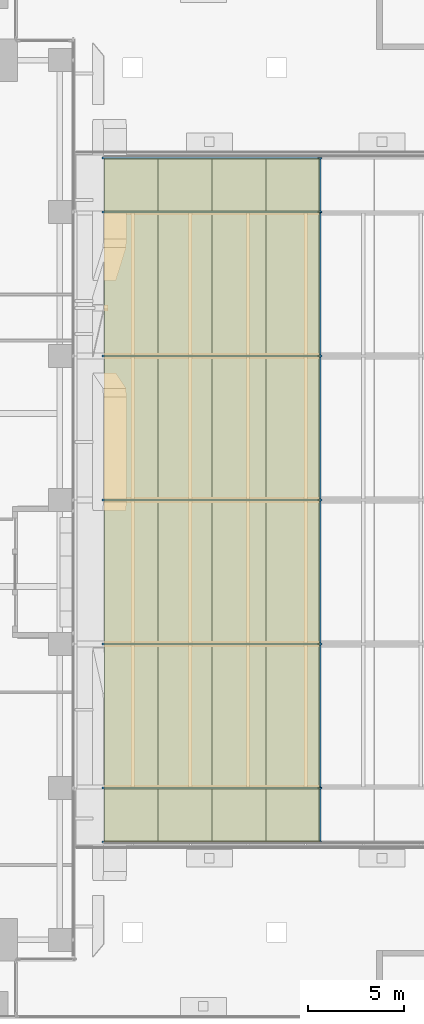
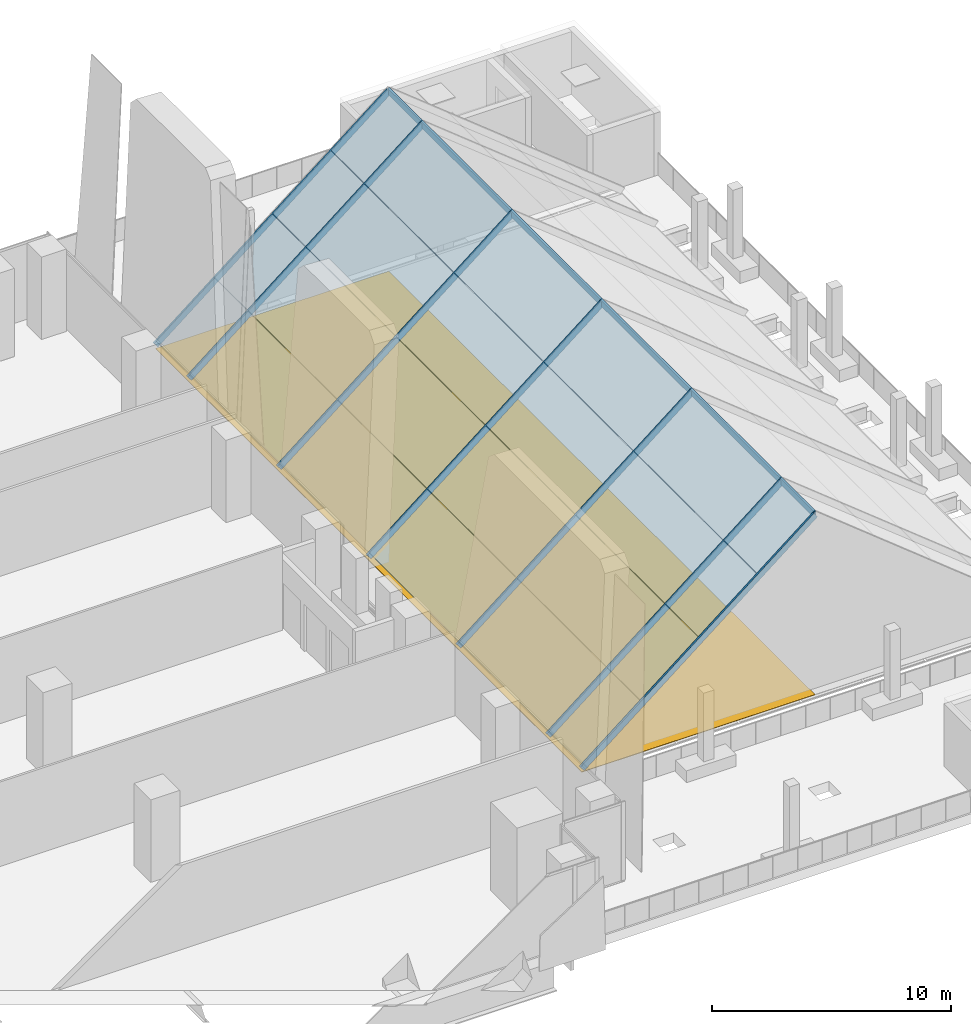
# One storey, part 40 of 46: 24 plates, 8 members, 1 curtain wall.
"""IFC4 building model written with IfcOpenShell, lengths in metres."""

from ifc_helpers import new_model, si_unit, direction, frame, origin, origin_2d, place, context, subcontext, project, spatial, polyline, hollow_rectangle, outline, extrude, source, transform, mapped, material, layer, layer_set, material_profile, profile_set, type_object, element, aggregate, save


model = new_model("IFC4")

# Units and contexts
model_context = context("Model", 3, precision=1e-05, world=origin(), true_north=direction((0.0, 1.0)))
body_context = subcontext(model_context, "Body", "Model", "MODEL_VIEW")
ifc_project = project(units=[si_unit("LENGTHUNIT", "METRE"), si_unit("AREAUNIT", "SQUARE_METRE"), si_unit("VOLUMEUNIT", "CUBIC_METRE"), si_unit("PLANEANGLEUNIT", "RADIAN"), si_unit("MASSUNIT", "GRAM", prefix="KILO")], contexts=[model_context])

# Member
ifc_material_1 = material(Name="Aluminium", Category="aluminium")
ifc_material_profile_1 = material_profile(ifc_material_1, hollow_rectangle(XDim=0.10009765625, YDim=0.300048828125, WallThickness=0.007080078125, at=origin_2d()), Name="Atrium lantern rafter RF-L")
ifc_profile_set_1 = profile_set([ifc_material_profile_1], Name="Aluminium")
member_type_1 = type_object("IfcMemberType", Name="Atrium lantern rafter RF-L", PredefinedType="MULLION", material=ifc_profile_set_1)
shared_shape_1 = source(origin(), body_context, "Body", "SweptSolid", [
    extrude(hollow_rectangle(XDim=0.10009765625, YDim=0.300048828125, WallThickness=0.007080078125, at=origin_2d()), origin(), (0.0, 0.0, 1.0), 14.406982421875),
])
site_placement = place(None, origin())
building_placement = place(site_placement, origin())
storey_placement = place(building_placement, frame((0.0, 0.0, 33.0)))
member_1_placement = place(storey_placement, frame((55.5, 9.199951171875, 1.4521484375), z_axis=(0.780868809443, 0.0, 0.624695047554), x_axis=(0.0, 1.0, 0.0)))
member_1 = element("IfcMember", 1, at=member_1_placement, type_object=member_type_1, Name="Atrium lantern rafter", PredefinedType="MULLION", context=body_context, shape_type="MappedRepresentation", body=[
    mapped(shared_shape_1, transform((0.0, 0.0, 0.0))),
])

member_2_placement = place(storey_placement, frame((55.5, 12.0, 1.4521484375), z_axis=(0.780868809443, 0.0, 0.624695047554), x_axis=(0.0, 1.0, 0.0)))
member_2 = element("IfcMember", 2, at=member_2_placement, type_object=member_type_1, Name="Atrium lantern rafter", PredefinedType="MULLION", context=body_context, shape_type="MappedRepresentation", body=[
    mapped(shared_shape_1, transform((0.0, 0.0, 0.0))),
])

member_3_placement = place(storey_placement, frame((55.5, 19.5, 1.4521484375), z_axis=(0.780868809443, 0.0, 0.624695047554), x_axis=(0.0, 1.0, 0.0)))
member_3 = element("IfcMember", 3, at=member_3_placement, type_object=member_type_1, Name="Atrium lantern rafter", PredefinedType="MULLION", context=body_context, shape_type="MappedRepresentation", body=[
    mapped(shared_shape_1, transform((0.0, 0.0, 0.0))),
])

member_4_placement = place(storey_placement, frame((55.5, 27.0, 1.4521484375), z_axis=(0.780868809443, 0.0, 0.624695047554), x_axis=(0.0, 1.0, 0.0)))
member_4 = element("IfcMember", 4, at=member_4_placement, type_object=member_type_1, Name="Atrium lantern rafter", PredefinedType="MULLION", context=body_context, shape_type="MappedRepresentation", body=[
    mapped(shared_shape_1, transform((0.0, 0.0, 0.0))),
])

member_5_placement = place(storey_placement, frame((55.5, 34.5, 1.4521484375), z_axis=(0.780868809443, 0.0, 0.624695047554), x_axis=(0.0, 1.0, 0.0)))
member_5 = element("IfcMember", 5, at=member_5_placement, type_object=member_type_1, Name="Atrium lantern rafter", PredefinedType="MULLION", context=body_context, shape_type="MappedRepresentation", body=[
    mapped(shared_shape_1, transform((0.0, 0.0, 0.0))),
])

member_6_placement = place(storey_placement, frame((55.5, 42.0, 1.4521484375), z_axis=(0.780868809443, 0.0, 0.624695047554), x_axis=(0.0, 1.0, 0.0)))
member_6 = element("IfcMember", 6, at=member_6_placement, type_object=member_type_1, Name="Atrium lantern rafter", PredefinedType="MULLION", context=body_context, shape_type="MappedRepresentation", body=[
    mapped(shared_shape_1, transform((0.0, 0.0, 0.0))),
])

member_7_placement = place(storey_placement, frame((55.5, 44.800048828125, 1.4521484375), z_axis=(0.780868809443, 0.0, 0.624695047554), x_axis=(0.0, 1.0, 0.0)))
member_7 = element("IfcMember", 7, at=member_7_placement, type_object=member_type_1, Name="Atrium lantern rafter", PredefinedType="MULLION", context=body_context, shape_type="MappedRepresentation", body=[
    mapped(shared_shape_1, transform((0.0, 0.0, 0.0))),
])

ifc_material_2 = material(Name="Aluminium", Category="aluminium")
ifc_material_profile_2 = material_profile(ifc_material_2, hollow_rectangle(XDim=0.10009765625, YDim=0.300048828125, WallThickness=0.007080078125, at=origin_2d()), Name="Atrium lantern ridge RF-LR")
ifc_profile_set_2 = profile_set([ifc_material_profile_2], Name="Aluminium")
member_type_2 = type_object("IfcMemberType", Name="Atrium lantern ridge RF-LR", PredefinedType="MULLION", material=ifc_profile_set_2)
shared_shape_2 = source(origin(), body_context, "Body", "SweptSolid", [
    extrude(hollow_rectangle(XDim=0.10009765625, YDim=0.300048828125, WallThickness=0.007080078125, at=origin_2d()), origin(), (0.0, 0.0, 1.0), 35.60009765625),
])
placement_1 = place(building_placement, frame((0.0, 0.0, 42.0)))
member_8_placement = place(placement_1, frame((66.75, 9.199951171875, 1.4521484375), z_axis=(0.0, 1.0, 0.0), x_axis=(-1.0, 0.0, 0.0)))
member_8 = element("IfcMember", 8, at=member_8_placement, type_object=member_type_2, Name="Atrium lantern ridge beam", PredefinedType="MULLION", context=body_context, shape_type="MappedRepresentation", body=[
    mapped(shared_shape_2, transform((0.0, 0.0, 0.0))),
])

# Plate
ifc_material_3 = material(Name="Laminated heat-strengthened glass", Category="glass")
ifc_layer = layer(ifc_material_3, 0.031982421875)
ifc_layer_set = layer_set([ifc_layer], Name="Laminated heat-strengthened glass")
plate_type = type_object("IfcPlateType", Name="Atrium lantern glazing panel AL-P", PredefinedType="CURTAIN_PANEL", material=ifc_layer_set)
plate_1_placement = place(storey_placement, frame((55.5, 9.219970703125, 1.67626953125), z_axis=(0.0, 0.0, 1.0), x_axis=(1.0, 0.0, 0.0)))
plate_1 = element("IfcPlate", 9, at=plate_1_placement, type_object=plate_type, Name="Atrium lantern glazing panel", PredefinedType="CURTAIN_PANEL", context=body_context, shape_type="SweptSolid", body=[
    extrude(outline(polyline([(0.0, 0.0), (2.802490234375, 2.241943359375), (2.802490234375, 2.200927734375), (0.0, -0.041015625), (0.0, 0.0)])), frame((0.0, 2.760009765625, 0.0), z_axis=(0.0, -1.0, 0.0), x_axis=(1.0, 0.0, 0.0)), (0.0, 0.0, 1.0), 2.760009765625),
])

plate_2_placement = place(storey_placement, frame((55.5, 12.02001953125, 1.67626953125), z_axis=(0.0, 0.0, 1.0), x_axis=(1.0, 0.0, 0.0)))
plate_2 = element("IfcPlate", 10, at=plate_2_placement, type_object=plate_type, Name="Atrium lantern glazing panel", PredefinedType="CURTAIN_PANEL", context=body_context, shape_type="SweptSolid", body=[
    extrude(outline(polyline([(0.0, 0.0), (2.802490234375, 2.241943359375), (2.802490234375, 2.200927734375), (0.0, -0.041015625), (0.0, 0.0)])), frame((0.0, 7.4599609375, 0.0), z_axis=(0.0, -1.0, 0.0), x_axis=(1.0, 0.0, 0.0)), (0.0, 0.0, 1.0), 7.4599609375),
])

plate_3_placement = place(storey_placement, frame((55.5, 19.52001953125, 1.67626953125), z_axis=(0.0, 0.0, 1.0), x_axis=(1.0, 0.0, 0.0)))
plate_3 = element("IfcPlate", 11, at=plate_3_placement, type_object=plate_type, Name="Atrium lantern glazing panel", PredefinedType="CURTAIN_PANEL", context=body_context, shape_type="SweptSolid", body=[
    extrude(outline(polyline([(0.0, 0.0), (2.802490234375, 2.241943359375), (2.802490234375, 2.200927734375), (0.0, -0.041015625), (0.0, 0.0)])), frame((0.0, 7.4599609375, 0.0), z_axis=(0.0, -1.0, 0.0), x_axis=(1.0, 0.0, 0.0)), (0.0, 0.0, 1.0), 7.4599609375),
])

plate_4_placement = place(storey_placement, frame((55.5, 27.02001953125, 1.67626953125), z_axis=(0.0, 0.0, 1.0), x_axis=(1.0, 0.0, 0.0)))
plate_4 = element("IfcPlate", 12, at=plate_4_placement, type_object=plate_type, Name="Atrium lantern glazing panel", PredefinedType="CURTAIN_PANEL", context=body_context, shape_type="SweptSolid", body=[
    extrude(outline(polyline([(0.0, 0.0), (2.802490234375, 2.241943359375), (2.802490234375, 2.200927734375), (0.0, -0.041015625), (0.0, 0.0)])), frame((0.0, 7.4599609375, 0.0), z_axis=(0.0, -1.0, 0.0), x_axis=(1.0, 0.0, 0.0)), (0.0, 0.0, 1.0), 7.4599609375),
])

plate_5_placement = place(storey_placement, frame((55.5, 34.52001953125, 1.67626953125), z_axis=(0.0, 0.0, 1.0), x_axis=(1.0, 0.0, 0.0)))
plate_5 = element("IfcPlate", 13, at=plate_5_placement, type_object=plate_type, Name="Atrium lantern glazing panel", PredefinedType="CURTAIN_PANEL", context=body_context, shape_type="SweptSolid", body=[
    extrude(outline(polyline([(0.0, 0.0), (2.802490234375, 2.241943359375), (2.802490234375, 2.200927734375), (0.0, -0.041015625), (0.0, 0.0)])), frame((0.0, 7.4599609375, 0.0), z_axis=(0.0, -1.0, 0.0), x_axis=(1.0, 0.0, 0.0)), (0.0, 0.0, 1.0), 7.4599609375),
])

plate_6_placement = place(storey_placement, frame((55.5, 42.02001953125, 1.67626953125), z_axis=(0.0, 0.0, 1.0), x_axis=(1.0, 0.0, 0.0)))
plate_6 = element("IfcPlate", 14, at=plate_6_placement, type_object=plate_type, Name="Atrium lantern glazing panel", PredefinedType="CURTAIN_PANEL", context=body_context, shape_type="SweptSolid", body=[
    extrude(outline(polyline([(0.0, 0.0), (2.802490234375, 2.241943359375), (2.802490234375, 2.200927734375), (0.0, -0.041015625), (0.0, 0.0)])), frame((0.0, 2.760009765625, 0.0), z_axis=(0.0, -1.0, 0.0), x_axis=(1.0, 0.0, 0.0)), (0.0, 0.0, 1.0), 2.760009765625),
])

plate_7_placement = place(storey_placement, frame((58.322509765625, 9.219970703125, 3.93408203125), z_axis=(0.0, 0.0, 1.0), x_axis=(1.0, 0.0, 0.0)))
plate_7 = element("IfcPlate", 15, at=plate_7_placement, type_object=plate_type, Name="Atrium lantern glazing panel", PredefinedType="CURTAIN_PANEL", context=body_context, shape_type="SweptSolid", body=[
    extrude(outline(polyline([(0.0, 0.0), (2.79248046875, 2.234130859375), (2.79248046875, 2.193115234375), (0.0, -0.041015625), (0.0, 0.0)])), frame((0.0, 2.760009765625, 0.0), z_axis=(0.0, -1.0, 0.0), x_axis=(1.0, 0.0, 0.0)), (0.0, 0.0, 1.0), 2.760009765625),
])

plate_8_placement = place(storey_placement, frame((58.322509765625, 12.02001953125, 3.93408203125), z_axis=(0.0, 0.0, 1.0), x_axis=(1.0, 0.0, 0.0)))
plate_8 = element("IfcPlate", 16, at=plate_8_placement, type_object=plate_type, Name="Atrium lantern glazing panel", PredefinedType="CURTAIN_PANEL", context=body_context, shape_type="SweptSolid", body=[
    extrude(outline(polyline([(0.0, 0.0), (2.79248046875, 2.234130859375), (2.79248046875, 2.193115234375), (0.0, -0.041015625), (0.0, 0.0)])), frame((0.0, 7.4599609375, 0.0), z_axis=(0.0, -1.0, 0.0), x_axis=(1.0, 0.0, 0.0)), (0.0, 0.0, 1.0), 7.4599609375),
])

plate_9_placement = place(storey_placement, frame((58.322509765625, 19.52001953125, 3.93408203125), z_axis=(0.0, 0.0, 1.0), x_axis=(1.0, 0.0, 0.0)))
plate_9 = element("IfcPlate", 17, at=plate_9_placement, type_object=plate_type, Name="Atrium lantern glazing panel", PredefinedType="CURTAIN_PANEL", context=body_context, shape_type="SweptSolid", body=[
    extrude(outline(polyline([(0.0, 0.0), (2.79248046875, 2.234130859375), (2.79248046875, 2.193115234375), (0.0, -0.041015625), (0.0, 0.0)])), frame((0.0, 7.4599609375, 0.0), z_axis=(0.0, -1.0, 0.0), x_axis=(1.0, 0.0, 0.0)), (0.0, 0.0, 1.0), 7.4599609375),
])

plate_10_placement = place(storey_placement, frame((58.322509765625, 27.02001953125, 3.93408203125), z_axis=(0.0, 0.0, 1.0), x_axis=(1.0, 0.0, 0.0)))
plate_10 = element("IfcPlate", 18, at=plate_10_placement, type_object=plate_type, Name="Atrium lantern glazing panel", PredefinedType="CURTAIN_PANEL", context=body_context, shape_type="SweptSolid", body=[
    extrude(outline(polyline([(0.0, 0.0), (2.79248046875, 2.234130859375), (2.79248046875, 2.193115234375), (0.0, -0.041015625), (0.0, 0.0)])), frame((0.0, 7.4599609375, 0.0), z_axis=(0.0, -1.0, 0.0), x_axis=(1.0, 0.0, 0.0)), (0.0, 0.0, 1.0), 7.4599609375),
])

plate_11_placement = place(storey_placement, frame((58.322509765625, 34.52001953125, 3.93408203125), z_axis=(0.0, 0.0, 1.0), x_axis=(1.0, 0.0, 0.0)))
plate_11 = element("IfcPlate", 19, at=plate_11_placement, type_object=plate_type, Name="Atrium lantern glazing panel", PredefinedType="CURTAIN_PANEL", context=body_context, shape_type="SweptSolid", body=[
    extrude(outline(polyline([(0.0, 0.0), (2.79248046875, 2.234130859375), (2.79248046875, 2.193115234375), (0.0, -0.041015625), (0.0, 0.0)])), frame((0.0, 7.4599609375, 0.0), z_axis=(0.0, -1.0, 0.0), x_axis=(1.0, 0.0, 0.0)), (0.0, 0.0, 1.0), 7.4599609375),
])

plate_12_placement = place(storey_placement, frame((58.322509765625, 42.02001953125, 3.93408203125), z_axis=(0.0, 0.0, 1.0), x_axis=(1.0, 0.0, 0.0)))
plate_12 = element("IfcPlate", 20, at=plate_12_placement, type_object=plate_type, Name="Atrium lantern glazing panel", PredefinedType="CURTAIN_PANEL", context=body_context, shape_type="SweptSolid", body=[
    extrude(outline(polyline([(0.0, 0.0), (2.79248046875, 2.234130859375), (2.79248046875, 2.193115234375), (0.0, -0.041015625), (0.0, 0.0)])), frame((0.0, 2.760009765625, 0.0), z_axis=(0.0, -1.0, 0.0), x_axis=(1.0, 0.0, 0.0)), (0.0, 0.0, 1.0), 2.760009765625),
])

placement_2 = place(building_placement, frame((0.0, 0.0, 37.5)))
plate_13_placement = place(placement_2, frame((61.135009765625, 9.219970703125, 1.68408203125), z_axis=(0.0, 0.0, 1.0), x_axis=(1.0, 0.0, 0.0)))
plate_13 = element("IfcPlate", 21, at=plate_13_placement, type_object=plate_type, Name="Atrium lantern glazing panel", PredefinedType="CURTAIN_PANEL", context=body_context, shape_type="SweptSolid", body=[
    extrude(outline(polyline([(0.0, 0.0), (2.79248046875, 2.234130859375), (2.79248046875, 2.193115234375), (0.0, -0.041015625), (0.0, 0.0)])), frame((0.0, 2.760009765625, 0.0), z_axis=(0.0, -1.0, 0.0), x_axis=(1.0, 0.0, 0.0)), (0.0, 0.0, 1.0), 2.760009765625),
])

plate_14_placement = place(placement_2, frame((61.135009765625, 12.02001953125, 1.68408203125), z_axis=(0.0, 0.0, 1.0), x_axis=(1.0, 0.0, 0.0)))
plate_14 = element("IfcPlate", 22, at=plate_14_placement, type_object=plate_type, Name="Atrium lantern glazing panel", PredefinedType="CURTAIN_PANEL", context=body_context, shape_type="SweptSolid", body=[
    extrude(outline(polyline([(0.0, 0.0), (2.79248046875, 2.234130859375), (2.79248046875, 2.193115234375), (0.0, -0.041015625), (0.0, 0.0)])), frame((0.0, 7.4599609375, 0.0), z_axis=(0.0, -1.0, 0.0), x_axis=(1.0, 0.0, 0.0)), (0.0, 0.0, 1.0), 7.4599609375),
])

plate_15_placement = place(placement_2, frame((61.135009765625, 19.52001953125, 1.68408203125), z_axis=(0.0, 0.0, 1.0), x_axis=(1.0, 0.0, 0.0)))
plate_15 = element("IfcPlate", 23, at=plate_15_placement, type_object=plate_type, Name="Atrium lantern glazing panel", PredefinedType="CURTAIN_PANEL", context=body_context, shape_type="SweptSolid", body=[
    extrude(outline(polyline([(0.0, 0.0), (2.79248046875, 2.234130859375), (2.79248046875, 2.193115234375), (0.0, -0.041015625), (0.0, 0.0)])), frame((0.0, 7.4599609375, 0.0), z_axis=(0.0, -1.0, 0.0), x_axis=(1.0, 0.0, 0.0)), (0.0, 0.0, 1.0), 7.4599609375),
])

plate_16_placement = place(placement_2, frame((61.135009765625, 27.02001953125, 1.68408203125), z_axis=(0.0, 0.0, 1.0), x_axis=(1.0, 0.0, 0.0)))
plate_16 = element("IfcPlate", 24, at=plate_16_placement, type_object=plate_type, Name="Atrium lantern glazing panel", PredefinedType="CURTAIN_PANEL", context=body_context, shape_type="SweptSolid", body=[
    extrude(outline(polyline([(0.0, 0.0), (2.79248046875, 2.234130859375), (2.79248046875, 2.193115234375), (0.0, -0.041015625), (0.0, 0.0)])), frame((0.0, 7.4599609375, 0.0), z_axis=(0.0, -1.0, 0.0), x_axis=(1.0, 0.0, 0.0)), (0.0, 0.0, 1.0), 7.4599609375),
])

plate_17_placement = place(placement_2, frame((61.135009765625, 34.52001953125, 1.68408203125), z_axis=(0.0, 0.0, 1.0), x_axis=(1.0, 0.0, 0.0)))
plate_17 = element("IfcPlate", 25, at=plate_17_placement, type_object=plate_type, Name="Atrium lantern glazing panel", PredefinedType="CURTAIN_PANEL", context=body_context, shape_type="SweptSolid", body=[
    extrude(outline(polyline([(0.0, 0.0), (2.79248046875, 2.234130859375), (2.79248046875, 2.193115234375), (0.0, -0.041015625), (0.0, 0.0)])), frame((0.0, 7.4599609375, 0.0), z_axis=(0.0, -1.0, 0.0), x_axis=(1.0, 0.0, 0.0)), (0.0, 0.0, 1.0), 7.4599609375),
])

plate_18_placement = place(placement_2, frame((61.135009765625, 42.02001953125, 1.68408203125), z_axis=(0.0, 0.0, 1.0), x_axis=(1.0, 0.0, 0.0)))
plate_18 = element("IfcPlate", 26, at=plate_18_placement, type_object=plate_type, Name="Atrium lantern glazing panel", PredefinedType="CURTAIN_PANEL", context=body_context, shape_type="SweptSolid", body=[
    extrude(outline(polyline([(0.0, 0.0), (2.79248046875, 2.234130859375), (2.79248046875, 2.193115234375), (0.0, -0.041015625), (0.0, 0.0)])), frame((0.0, 2.760009765625, 0.0), z_axis=(0.0, -1.0, 0.0), x_axis=(1.0, 0.0, 0.0)), (0.0, 0.0, 1.0), 2.760009765625),
])

plate_19_placement = place(placement_2, frame((63.947509765625, 9.219970703125, 3.93408203125), z_axis=(0.0, 0.0, 1.0), x_axis=(1.0, 0.0, 0.0)))
plate_19 = element("IfcPlate", 27, at=plate_19_placement, type_object=plate_type, Name="Atrium lantern glazing panel", PredefinedType="CURTAIN_PANEL", context=body_context, shape_type="SweptSolid", body=[
    extrude(outline(polyline([(0.0, 0.0), (2.802490234375, 2.2421875), (2.802490234375, 2.201171875), (0.0, -0.041015625), (0.0, 0.0)])), frame((0.0, 2.760009765625, 0.0), z_axis=(0.0, -1.0, 0.0), x_axis=(1.0, 0.0, 0.0)), (0.0, 0.0, 1.0), 2.760009765625),
])

plate_20_placement = place(placement_2, frame((63.947509765625, 12.02001953125, 3.93408203125), z_axis=(0.0, 0.0, 1.0), x_axis=(1.0, 0.0, 0.0)))
plate_20 = element("IfcPlate", 28, at=plate_20_placement, type_object=plate_type, Name="Atrium lantern glazing panel", PredefinedType="CURTAIN_PANEL", context=body_context, shape_type="SweptSolid", body=[
    extrude(outline(polyline([(0.0, 0.0), (2.802490234375, 2.2421875), (2.802490234375, 2.201171875), (0.0, -0.041015625), (0.0, 0.0)])), frame((0.0, 7.4599609375, 0.0), z_axis=(0.0, -1.0, 0.0), x_axis=(1.0, 0.0, 0.0)), (0.0, 0.0, 1.0), 7.4599609375),
])

plate_21_placement = place(placement_2, frame((63.947509765625, 19.52001953125, 3.93408203125), z_axis=(0.0, 0.0, 1.0), x_axis=(1.0, 0.0, 0.0)))
plate_21 = element("IfcPlate", 29, at=plate_21_placement, type_object=plate_type, Name="Atrium lantern glazing panel", PredefinedType="CURTAIN_PANEL", context=body_context, shape_type="SweptSolid", body=[
    extrude(outline(polyline([(0.0, 0.0), (2.802490234375, 2.2421875), (2.802490234375, 2.201171875), (0.0, -0.041015625), (0.0, 0.0)])), frame((0.0, 7.4599609375, 0.0), z_axis=(0.0, -1.0, 0.0), x_axis=(1.0, 0.0, 0.0)), (0.0, 0.0, 1.0), 7.4599609375),
])

plate_22_placement = place(placement_2, frame((63.947509765625, 27.02001953125, 3.93408203125), z_axis=(0.0, 0.0, 1.0), x_axis=(1.0, 0.0, 0.0)))
plate_22 = element("IfcPlate", 30, at=plate_22_placement, type_object=plate_type, Name="Atrium lantern glazing panel", PredefinedType="CURTAIN_PANEL", context=body_context, shape_type="SweptSolid", body=[
    extrude(outline(polyline([(0.0, 0.0), (2.802490234375, 2.2421875), (2.802490234375, 2.201171875), (0.0, -0.041015625), (0.0, 0.0)])), frame((0.0, 7.4599609375, 0.0), z_axis=(0.0, -1.0, 0.0), x_axis=(1.0, 0.0, 0.0)), (0.0, 0.0, 1.0), 7.4599609375),
])

plate_23_placement = place(placement_2, frame((63.947509765625, 34.52001953125, 3.93408203125), z_axis=(0.0, 0.0, 1.0), x_axis=(1.0, 0.0, 0.0)))
plate_23 = element("IfcPlate", 31, at=plate_23_placement, type_object=plate_type, Name="Atrium lantern glazing panel", PredefinedType="CURTAIN_PANEL", context=body_context, shape_type="SweptSolid", body=[
    extrude(outline(polyline([(0.0, 0.0), (2.802490234375, 2.2421875), (2.802490234375, 2.201171875), (0.0, -0.041015625), (0.0, 0.0)])), frame((0.0, 7.4599609375, 0.0), z_axis=(0.0, -1.0, 0.0), x_axis=(1.0, 0.0, 0.0)), (0.0, 0.0, 1.0), 7.4599609375),
])

plate_24_placement = place(placement_2, frame((63.947509765625, 42.02001953125, 3.93408203125), z_axis=(0.0, 0.0, 1.0), x_axis=(1.0, 0.0, 0.0)))
plate_24 = element("IfcPlate", 32, at=plate_24_placement, type_object=plate_type, Name="Atrium lantern glazing panel", PredefinedType="CURTAIN_PANEL", context=body_context, shape_type="SweptSolid", body=[
    extrude(outline(polyline([(0.0, 0.0), (2.802490234375, 2.2421875), (2.802490234375, 2.201171875), (0.0, -0.041015625), (0.0, 0.0)])), frame((0.0, 2.760009765625, 0.0), z_axis=(0.0, -1.0, 0.0), x_axis=(1.0, 0.0, 0.0)), (0.0, 0.0, 1.0), 2.760009765625),
])

# Site, building, storey
site = spatial("IfcSite", under=ifc_project, at=site_placement, CompositionType="ELEMENT")
building = spatial("IfcBuilding", under=site, at=building_placement, Name="Khomas Fold Tower", CompositionType="ELEMENT")
storey = spatial("IfcBuildingStorey", under=building, at=storey_placement, Name="L06", CompositionType="ELEMENT", Elevation=33.0)

# Curtain wall
ifc_material_4 = material(Name="Aluminium framed double glazing", Category="aluminium")
curtain_wall_type = type_object("IfcCurtainWallType", Name="Atrium lantern glazing system AL-CW", PredefinedType="NOTDEFINED", material=ifc_material_4)
curtain_wall_placement = place(storey_placement, frame((55.5, 9.199951171875, 1.27001953125), z_axis=(0.0, 0.0, 1.0), x_axis=(1.0, 0.0, 0.0)))
curtain_wall = element("IfcCurtainWall", 33, at=curtain_wall_placement, inside=storey, type_object=curtain_wall_type, Name="Atrium lantern glazing W", PredefinedType="NOTDEFINED", context=body_context, shape_type="SweptSolid", body=[
    extrude(outline(polyline([(0.0, 0.0), (11.25, 0.0), (11.25, 35.60009765625), (0.0, 35.60009765625), (0.0, 0.0)])), origin(), (0.0, 0.0, -1.0), 0.031982421875),
])

aggregate(curtain_wall, [member_1, member_2, member_3, member_4, member_5, member_6, member_7, member_8, plate_1, plate_2, plate_3, plate_4, plate_5, plate_6, plate_7, plate_8, plate_9, plate_10, plate_11, plate_12, plate_13, plate_14, plate_15, plate_16, plate_17, plate_18, plate_19, plate_20, plate_21, plate_22, plate_23, plate_24])

save(model, "model.ifc")
